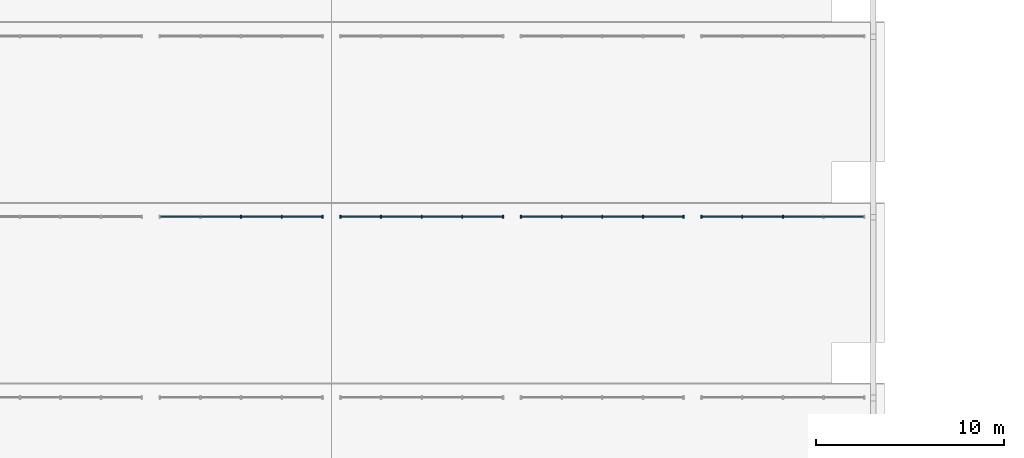
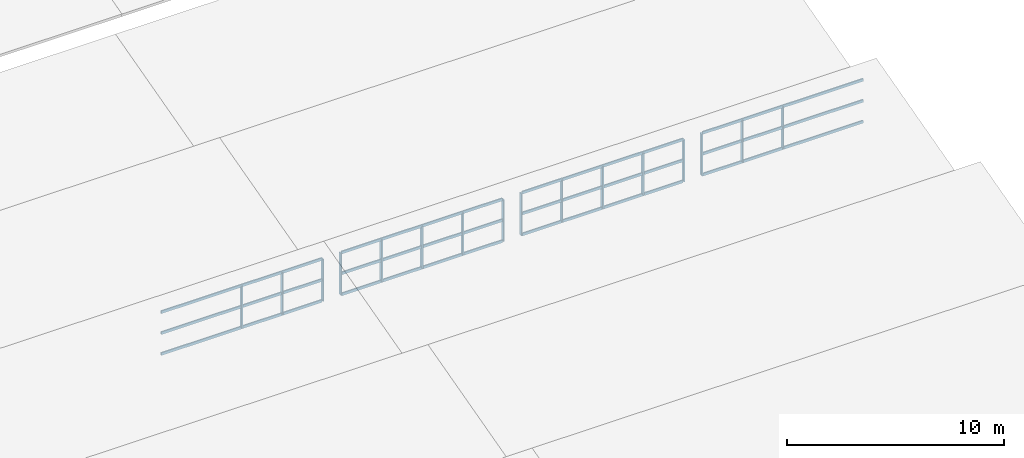
# One storey, part 3 of 18: 28 members, 4 elements without a shape of their own.
"""IFC4 building model written with IfcOpenShell, lengths in metres."""

from ifc_helpers import new_model, si_unit, direction, frame, origin, origin_2d, place, context, subcontext, project, spatial, rectangle, extrude, material, layer, layer_set, material_profile, profile_set, type_object, element, aggregate, save


model = new_model("IFC4")

# Units and contexts
model_context = context("Model", 3, precision=1e-05, world=origin(), true_north=direction((0.0, 1.0)))
body_context = subcontext(model_context, "Body", "Model", "MODEL_VIEW")
ifc_project = project(units=[si_unit("LENGTHUNIT", "METRE"), si_unit("AREAUNIT", "SQUARE_METRE"), si_unit("VOLUMEUNIT", "CUBIC_METRE"), si_unit("PLANEANGLEUNIT", "RADIAN"), si_unit("MASSUNIT", "GRAM", prefix="KILO")], contexts=[model_context])

# Site, building, storey
site_placement = place(None, origin())
site = spatial("IfcSite", under=ifc_project, at=site_placement, CompositionType="ELEMENT")
building_placement = place(site_placement, origin())
building = spatial("IfcBuilding", under=site, at=building_placement, Name="Bempovik Park Faculty of Sciences", CompositionType="ELEMENT")
storey_placement = place(building_placement, frame((0.0, 0.0, 50.10009765625)))
storey = spatial("IfcBuildingStorey", under=building, at=storey_placement, Name="Roof", CompositionType="ELEMENT", Elevation=50.10009765625)

# Curtain wall, members
ifc_material_1 = material(Name="Tempered laminated low-E glass", Category="glass")
ifc_layer_1 = layer(ifc_material_1, 0.159912109375)
ifc_layer_set_1 = layer_set([ifc_layer_1], Name="Tempered laminated low-E glass")
curtain_wall_type_1 = type_object("IfcCurtainWallType", Name="CW-53 Curtain 8000x2550", PredefinedType="USERDEFINED", material=ifc_layer_set_1)
curtain_wall_1_placement = place(storey_placement, origin())
curtain_wall_1 = element("IfcCurtainWall", 1, at=curtain_wall_1_placement, inside=storey, type_object=curtain_wall_type_1, Name="V1 Sawtooth North-Light Clerestory Bay 3 (79.2-88.8)", ObjectType="NORTH LIGHT CLERESTORY", PredefinedType="USERDEFINED")
ifc_material_2 = material(Name="Anodised aluminium", Category="aluminium")
ifc_material_profile_1 = material_profile(ifc_material_2, rectangle(XDim=0.070068359375, YDim=0.179931640625, at=origin_2d()), Name="ALU-M 70x180")
ifc_profile_set_1 = profile_set([ifc_material_profile_1], Name="Anodised aluminium")
member_type_1 = type_object("IfcMemberType", Name="ML-26 ALU-M 70x180", PredefinedType="MULLION", material=ifc_profile_set_1)
member_1_placement = place(storey_placement, frame((84.0, 48.47998046875, -30.2001953125), z_axis=(0.0, 0.0, 1.0), x_axis=(1.0, 0.0, 0.0)))
member_1 = element("IfcMember", 2, at=member_1_placement, type_object=member_type_1, Name="CW-NL-V1-B3-792 Mullion 2", PredefinedType="MULLION", context=body_context, shape_type="SweptSolid", body=[
    extrude(rectangle(XDim=0.070068359375, YDim=0.179931640625, at=origin_2d()), origin(), (0.0, 0.0, 1.0), 2.352294921875),
])
member_2_placement = place(storey_placement, frame((86.159912109375, 48.47998046875, -30.2001953125), z_axis=(0.0, 0.0, 1.0), x_axis=(1.0, 0.0, 0.0)))
member_2 = element("IfcMember", 3, at=member_2_placement, type_object=member_type_1, Name="CW-NL-V1-B3-792 Mullion 3", PredefinedType="MULLION", context=body_context, shape_type="SweptSolid", body=[
    extrude(rectangle(XDim=0.070068359375, YDim=0.179931640625, at=origin_2d()), origin(), (0.0, 0.0, 1.0), 2.352294921875),
])
member_3_placement = place(storey_placement, frame((88.320068359375, 48.47998046875, -30.2001953125), z_axis=(0.0, 0.0, 1.0), x_axis=(1.0, 0.0, 0.0)))
member_3 = element("IfcMember", 4, at=member_3_placement, type_object=member_type_1, Name="CW-NL-V1-B3-792 Mullion 4", PredefinedType="MULLION", context=body_context, shape_type="SweptSolid", body=[
    extrude(rectangle(XDim=0.070068359375, YDim=0.179931640625, at=origin_2d()), origin(), (0.0, 0.0, 1.0), 2.352294921875),
])

curtain_wall_2_placement = place(storey_placement, origin())
curtain_wall_2 = element("IfcCurtainWall", 5, at=curtain_wall_2_placement, inside=storey, type_object=curtain_wall_type_1, Name="V1 Sawtooth North-Light Clerestory Bay 3 (88.8-98.4)", ObjectType="NORTH LIGHT CLERESTORY", PredefinedType="USERDEFINED")
member_4_placement = place(storey_placement, frame((89.280029296875, 48.47998046875, -30.2001953125), z_axis=(0.0, 0.0, 1.0), x_axis=(1.0, 0.0, 0.0)))
member_4 = element("IfcMember", 6, at=member_4_placement, type_object=member_type_1, Name="CW-NL-V1-B3-888 Mullion 0", PredefinedType="MULLION", context=body_context, shape_type="SweptSolid", body=[
    extrude(rectangle(XDim=0.070068359375, YDim=0.179931640625, at=origin_2d()), origin(), (0.0, 0.0, 1.0), 2.352294921875),
])
member_5_placement = place(storey_placement, frame((91.43994140625, 48.47998046875, -30.2001953125), z_axis=(0.0, 0.0, 1.0), x_axis=(1.0, 0.0, 0.0)))
member_5 = element("IfcMember", 7, at=member_5_placement, type_object=member_type_1, Name="CW-NL-V1-B3-888 Mullion 1", PredefinedType="MULLION", context=body_context, shape_type="SweptSolid", body=[
    extrude(rectangle(XDim=0.070068359375, YDim=0.179931640625, at=origin_2d()), origin(), (0.0, 0.0, 1.0), 2.352294921875),
])
member_6_placement = place(storey_placement, frame((93.60009765625, 48.47998046875, -30.2001953125), z_axis=(0.0, 0.0, 1.0), x_axis=(1.0, 0.0, 0.0)))
member_6 = element("IfcMember", 8, at=member_6_placement, type_object=member_type_1, Name="CW-NL-V1-B3-888 Mullion 2", PredefinedType="MULLION", context=body_context, shape_type="SweptSolid", body=[
    extrude(rectangle(XDim=0.070068359375, YDim=0.179931640625, at=origin_2d()), origin(), (0.0, 0.0, 1.0), 2.352294921875),
])
member_7_placement = place(storey_placement, frame((95.760009765625, 48.47998046875, -30.2001953125), z_axis=(0.0, 0.0, 1.0), x_axis=(1.0, 0.0, 0.0)))
member_7 = element("IfcMember", 9, at=member_7_placement, type_object=member_type_1, Name="CW-NL-V1-B3-888 Mullion 3", PredefinedType="MULLION", context=body_context, shape_type="SweptSolid", body=[
    extrude(rectangle(XDim=0.070068359375, YDim=0.179931640625, at=origin_2d()), origin(), (0.0, 0.0, 1.0), 2.352294921875),
])
member_8_placement = place(storey_placement, frame((97.919921875, 48.47998046875, -30.2001953125), z_axis=(0.0, 0.0, 1.0), x_axis=(1.0, 0.0, 0.0)))
member_8 = element("IfcMember", 10, at=member_8_placement, type_object=member_type_1, Name="CW-NL-V1-B3-888 Mullion 4", PredefinedType="MULLION", context=body_context, shape_type="SweptSolid", body=[
    extrude(rectangle(XDim=0.070068359375, YDim=0.179931640625, at=origin_2d()), origin(), (0.0, 0.0, 1.0), 2.352294921875),
])

curtain_wall_3_placement = place(storey_placement, origin())
curtain_wall_3 = element("IfcCurtainWall", 11, at=curtain_wall_3_placement, inside=storey, type_object=curtain_wall_type_1, Name="V1 Sawtooth North-Light Clerestory Bay 3 (98.4-108.0)", ObjectType="NORTH LIGHT CLERESTORY", PredefinedType="USERDEFINED")
member_9_placement = place(storey_placement, frame((98.8798828125, 48.47998046875, -30.2001953125), z_axis=(0.0, 0.0, 1.0), x_axis=(1.0, 0.0, 0.0)))
member_9 = element("IfcMember", 12, at=member_9_placement, type_object=member_type_1, Name="CW-NL-V1-B3-984 Mullion 0", PredefinedType="MULLION", context=body_context, shape_type="SweptSolid", body=[
    extrude(rectangle(XDim=0.070068359375, YDim=0.179931640625, at=origin_2d()), origin(), (0.0, 0.0, 1.0), 2.352294921875),
])
member_10_placement = place(storey_placement, frame((101.0400390625, 48.47998046875, -30.2001953125), z_axis=(0.0, 0.0, 1.0), x_axis=(1.0, 0.0, 0.0)))
member_10 = element("IfcMember", 13, at=member_10_placement, type_object=member_type_1, Name="CW-NL-V1-B3-984 Mullion 1", PredefinedType="MULLION", context=body_context, shape_type="SweptSolid", body=[
    extrude(rectangle(XDim=0.070068359375, YDim=0.179931640625, at=origin_2d()), origin(), (0.0, 0.0, 1.0), 2.352294921875),
])
member_11_placement = place(storey_placement, frame((103.199951171875, 48.47998046875, -30.2001953125), z_axis=(0.0, 0.0, 1.0), x_axis=(1.0, 0.0, 0.0)))
member_11 = element("IfcMember", 14, at=member_11_placement, type_object=member_type_1, Name="CW-NL-V1-B3-984 Mullion 2", PredefinedType="MULLION", context=body_context, shape_type="SweptSolid", body=[
    extrude(rectangle(XDim=0.070068359375, YDim=0.179931640625, at=origin_2d()), origin(), (0.0, 0.0, 1.0), 2.352294921875),
])
member_12_placement = place(storey_placement, frame((105.360107421875, 48.47998046875, -30.2001953125), z_axis=(0.0, 0.0, 1.0), x_axis=(1.0, 0.0, 0.0)))
member_12 = element("IfcMember", 15, at=member_12_placement, type_object=member_type_1, Name="CW-NL-V1-B3-984 Mullion 3", PredefinedType="MULLION", context=body_context, shape_type="SweptSolid", body=[
    extrude(rectangle(XDim=0.070068359375, YDim=0.179931640625, at=origin_2d()), origin(), (0.0, 0.0, 1.0), 2.352294921875),
])
member_13_placement = place(storey_placement, frame((107.52001953125, 48.47998046875, -30.2001953125), z_axis=(0.0, 0.0, 1.0), x_axis=(1.0, 0.0, 0.0)))
member_13 = element("IfcMember", 16, at=member_13_placement, type_object=member_type_1, Name="CW-NL-V1-B3-984 Mullion 4", PredefinedType="MULLION", context=body_context, shape_type="SweptSolid", body=[
    extrude(rectangle(XDim=0.070068359375, YDim=0.179931640625, at=origin_2d()), origin(), (0.0, 0.0, 1.0), 2.352294921875),
])

ifc_layer_2 = layer(ifc_material_1, 0.159912109375)
ifc_layer_set_2 = layer_set([ifc_layer_2], Name="Tempered laminated low-E glass")
curtain_wall_type_2 = type_object("IfcCurtainWallType", Name="CW-17 Curtain 7200x2550", PredefinedType="USERDEFINED", material=ifc_layer_set_2)
curtain_wall_4_placement = place(storey_placement, origin())
curtain_wall_4 = element("IfcCurtainWall", 17, at=curtain_wall_4_placement, inside=storey, type_object=curtain_wall_type_2, Name="V1 Sawtooth North-Light Clerestory Bay 3 (108.0-117.6)", ObjectType="NORTH LIGHT CLERESTORY", PredefinedType="USERDEFINED")
member_14_placement = place(storey_placement, frame((108.47998046875, 48.47998046875, -30.2001953125), z_axis=(0.0, 0.0, 1.0), x_axis=(1.0, 0.0, 0.0)))
member_14 = element("IfcMember", 18, at=member_14_placement, type_object=member_type_1, Name="CW-NL-V1-B3-1080 Mullion 0", PredefinedType="MULLION", context=body_context, shape_type="SweptSolid", body=[
    extrude(rectangle(XDim=0.070068359375, YDim=0.179931640625, at=origin_2d()), origin(), (0.0, 0.0, 1.0), 2.352294921875),
])
member_15_placement = place(storey_placement, frame((110.639892578125, 48.47998046875, -30.2001953125), z_axis=(0.0, 0.0, 1.0), x_axis=(1.0, 0.0, 0.0)))
member_15 = element("IfcMember", 19, at=member_15_placement, type_object=member_type_1, Name="CW-NL-V1-B3-1080 Mullion 1", PredefinedType="MULLION", context=body_context, shape_type="SweptSolid", body=[
    extrude(rectangle(XDim=0.070068359375, YDim=0.179931640625, at=origin_2d()), origin(), (0.0, 0.0, 1.0), 2.352294921875),
])
member_16_placement = place(storey_placement, frame((112.800048828125, 48.47998046875, -30.2001953125), z_axis=(0.0, 0.0, 1.0), x_axis=(1.0, 0.0, 0.0)))
member_16 = element("IfcMember", 20, at=member_16_placement, type_object=member_type_1, Name="CW-NL-V1-B3-1080 Mullion 2", PredefinedType="MULLION", context=body_context, shape_type="SweptSolid", body=[
    extrude(rectangle(XDim=0.070068359375, YDim=0.179931640625, at=origin_2d()), origin(), (0.0, 0.0, 1.0), 2.352294921875),
])

# Member
ifc_material_profile_2 = material_profile(ifc_material_2, rectangle(XDim=0.070068359375, YDim=0.14990234375, at=origin_2d()), Name="ALU-T 70x150")
ifc_profile_set_2 = profile_set([ifc_material_profile_2], Name="Anodised aluminium")
member_type_2 = type_object("IfcMemberType", Name="TR-21 ALU-T 70x150", PredefinedType="USERDEFINED", material=ifc_profile_set_2)
member_17_placement = place(storey_placement, frame((79.719970703125, 48.47998046875, -30.2001953125), z_axis=(1.0, 0.0, 0.0), x_axis=(0.0, 1.0, 0.0)))
member_17 = element("IfcMember", 21, at=member_17_placement, type_object=member_type_2, Name="CW-NL-V1-B3-792 Transom 0", ObjectType="TRANSOM", PredefinedType="USERDEFINED", context=body_context, shape_type="SweptSolid", body=[
    extrude(rectangle(XDim=0.070068359375, YDim=0.14990234375, at=origin_2d()), origin(), (0.0, 0.0, 1.0), 8.56005859375),
])

member_18_placement = place(storey_placement, frame((79.719970703125, 48.47998046875, -29.02392578125), z_axis=(1.0, 0.0, 0.0), x_axis=(0.0, 1.0, 0.0)))
member_18 = element("IfcMember", 22, at=member_18_placement, type_object=member_type_2, Name="CW-NL-V1-B3-792 Transom 1", ObjectType="TRANSOM", PredefinedType="USERDEFINED", context=body_context, shape_type="SweptSolid", body=[
    extrude(rectangle(XDim=0.070068359375, YDim=0.14990234375, at=origin_2d()), origin(), (0.0, 0.0, 1.0), 8.56005859375),
])

member_19_placement = place(storey_placement, frame((79.719970703125, 48.47998046875, -27.847900390625), z_axis=(1.0, 0.0, 0.0), x_axis=(0.0, 1.0, 0.0)))
member_19 = element("IfcMember", 23, at=member_19_placement, type_object=member_type_2, Name="CW-NL-V1-B3-792 Transom 2", ObjectType="TRANSOM", PredefinedType="USERDEFINED", context=body_context, shape_type="SweptSolid", body=[
    extrude(rectangle(XDim=0.070068359375, YDim=0.14990234375, at=origin_2d()), origin(), (0.0, 0.0, 1.0), 8.56005859375),
])

aggregate(curtain_wall_1, [member_1, member_2, member_3, member_17, member_18, member_19])

member_20_placement = place(storey_placement, frame((89.320068359375, 48.47998046875, -30.2001953125), z_axis=(1.0, 0.0, 0.0), x_axis=(0.0, 1.0, 0.0)))
member_20 = element("IfcMember", 24, at=member_20_placement, type_object=member_type_2, Name="CW-NL-V1-B3-888 Transom 0", ObjectType="TRANSOM", PredefinedType="USERDEFINED", context=body_context, shape_type="SweptSolid", body=[
    extrude(rectangle(XDim=0.070068359375, YDim=0.14990234375, at=origin_2d()), origin(), (0.0, 0.0, 1.0), 8.559814453125),
])

member_21_placement = place(storey_placement, frame((89.320068359375, 48.47998046875, -29.02392578125), z_axis=(1.0, 0.0, 0.0), x_axis=(0.0, 1.0, 0.0)))
member_21 = element("IfcMember", 25, at=member_21_placement, type_object=member_type_2, Name="CW-NL-V1-B3-888 Transom 1", ObjectType="TRANSOM", PredefinedType="USERDEFINED", context=body_context, shape_type="SweptSolid", body=[
    extrude(rectangle(XDim=0.070068359375, YDim=0.14990234375, at=origin_2d()), origin(), (0.0, 0.0, 1.0), 8.559814453125),
])

member_22_placement = place(storey_placement, frame((89.320068359375, 48.47998046875, -27.847900390625), z_axis=(1.0, 0.0, 0.0), x_axis=(0.0, 1.0, 0.0)))
member_22 = element("IfcMember", 26, at=member_22_placement, type_object=member_type_2, Name="CW-NL-V1-B3-888 Transom 2", ObjectType="TRANSOM", PredefinedType="USERDEFINED", context=body_context, shape_type="SweptSolid", body=[
    extrude(rectangle(XDim=0.070068359375, YDim=0.14990234375, at=origin_2d()), origin(), (0.0, 0.0, 1.0), 8.559814453125),
])

aggregate(curtain_wall_2, [member_4, member_5, member_6, member_7, member_8, member_20, member_21, member_22])

member_23_placement = place(storey_placement, frame((98.919921875, 48.47998046875, -30.2001953125), z_axis=(1.0, 0.0, 0.0), x_axis=(0.0, 1.0, 0.0)))
member_23 = element("IfcMember", 27, at=member_23_placement, type_object=member_type_2, Name="CW-NL-V1-B3-984 Transom 0", ObjectType="TRANSOM", PredefinedType="USERDEFINED", context=body_context, shape_type="SweptSolid", body=[
    extrude(rectangle(XDim=0.070068359375, YDim=0.14990234375, at=origin_2d()), origin(), (0.0, 0.0, 1.0), 8.56005859375),
])

member_24_placement = place(storey_placement, frame((98.919921875, 48.47998046875, -29.02392578125), z_axis=(1.0, 0.0, 0.0), x_axis=(0.0, 1.0, 0.0)))
member_24 = element("IfcMember", 28, at=member_24_placement, type_object=member_type_2, Name="CW-NL-V1-B3-984 Transom 1", ObjectType="TRANSOM", PredefinedType="USERDEFINED", context=body_context, shape_type="SweptSolid", body=[
    extrude(rectangle(XDim=0.070068359375, YDim=0.14990234375, at=origin_2d()), origin(), (0.0, 0.0, 1.0), 8.56005859375),
])

member_25_placement = place(storey_placement, frame((98.919921875, 48.47998046875, -27.847900390625), z_axis=(1.0, 0.0, 0.0), x_axis=(0.0, 1.0, 0.0)))
member_25 = element("IfcMember", 29, at=member_25_placement, type_object=member_type_2, Name="CW-NL-V1-B3-984 Transom 2", ObjectType="TRANSOM", PredefinedType="USERDEFINED", context=body_context, shape_type="SweptSolid", body=[
    extrude(rectangle(XDim=0.070068359375, YDim=0.14990234375, at=origin_2d()), origin(), (0.0, 0.0, 1.0), 8.56005859375),
])

aggregate(curtain_wall_3, [member_9, member_10, member_11, member_12, member_13, member_23, member_24, member_25])

member_26_placement = place(storey_placement, frame((108.52001953125, 48.47998046875, -30.2001953125), z_axis=(1.0, 0.0, 0.0), x_axis=(0.0, 1.0, 0.0)))
member_26 = element("IfcMember", 30, at=member_26_placement, type_object=member_type_2, Name="CW-NL-V1-B3-1080 Transom 0", ObjectType="TRANSOM", PredefinedType="USERDEFINED", context=body_context, shape_type="SweptSolid", body=[
    extrude(rectangle(XDim=0.070068359375, YDim=0.14990234375, at=origin_2d()), origin(), (0.0, 0.0, 1.0), 8.56005859375),
])

member_27_placement = place(storey_placement, frame((108.52001953125, 48.47998046875, -29.02392578125), z_axis=(1.0, 0.0, 0.0), x_axis=(0.0, 1.0, 0.0)))
member_27 = element("IfcMember", 31, at=member_27_placement, type_object=member_type_2, Name="CW-NL-V1-B3-1080 Transom 1", ObjectType="TRANSOM", PredefinedType="USERDEFINED", context=body_context, shape_type="SweptSolid", body=[
    extrude(rectangle(XDim=0.070068359375, YDim=0.14990234375, at=origin_2d()), origin(), (0.0, 0.0, 1.0), 8.56005859375),
])

member_28_placement = place(storey_placement, frame((108.52001953125, 48.47998046875, -27.847900390625), z_axis=(1.0, 0.0, 0.0), x_axis=(0.0, 1.0, 0.0)))
member_28 = element("IfcMember", 32, at=member_28_placement, type_object=member_type_2, Name="CW-NL-V1-B3-1080 Transom 2", ObjectType="TRANSOM", PredefinedType="USERDEFINED", context=body_context, shape_type="SweptSolid", body=[
    extrude(rectangle(XDim=0.070068359375, YDim=0.14990234375, at=origin_2d()), origin(), (0.0, 0.0, 1.0), 8.56005859375),
])

aggregate(curtain_wall_4, [member_14, member_15, member_16, member_26, member_27, member_28])

save(model, "model.ifc")
